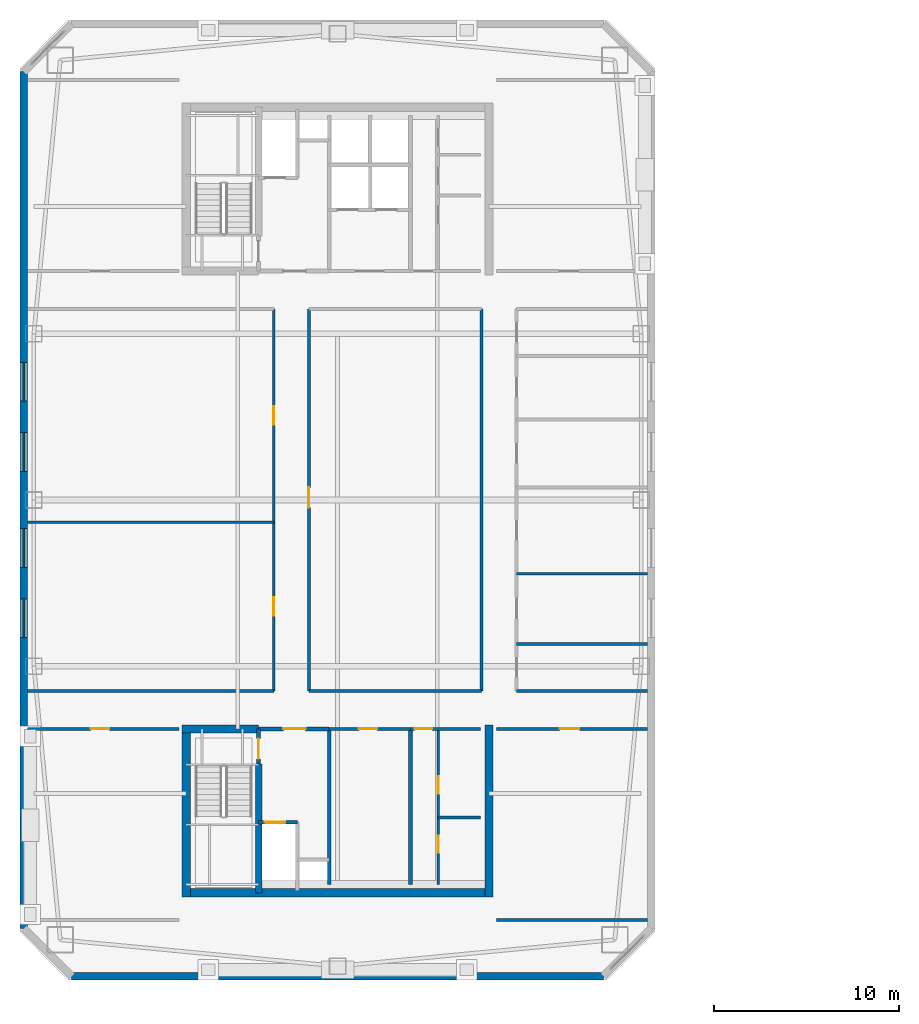
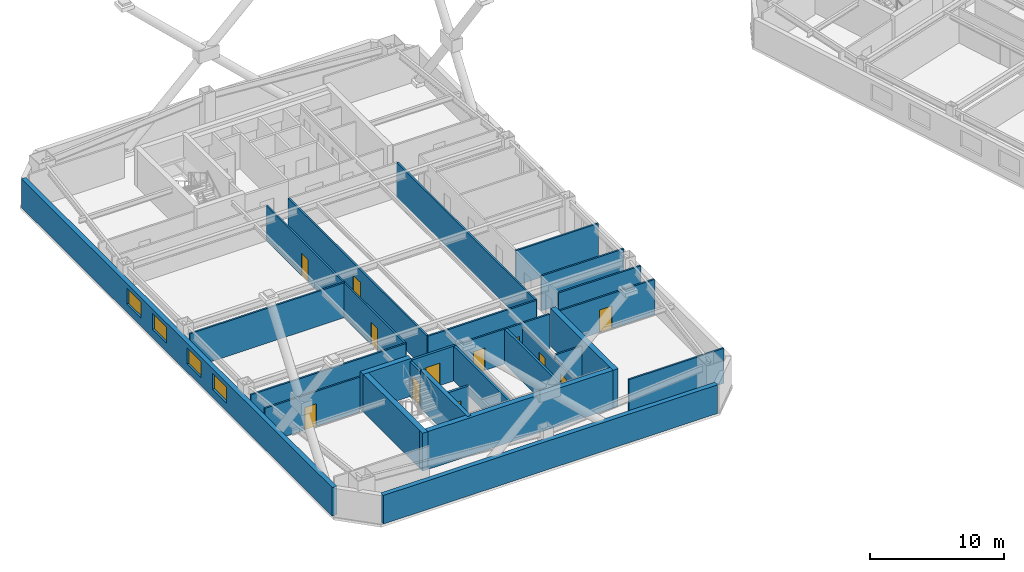
# One storey, part 17 of 25: 28 walls, 12 doors, 4 windows, 16 openings.
"""IFC4 building model written with IfcOpenShell, lengths in metres."""

from ifc_helpers import new_model, si_unit, direction, frame, frame_2d, origin, place, context, subcontext, project, spatial, rectangle, extrude, material, layer, layer_set, type_object, element, fill, save


model = new_model("IFC4")

# Units and contexts
model_context = context("Model", 3, precision=1e-05, world=origin(), true_north=direction((0.0, 1.0)))
body_context = subcontext(model_context, "Body", "Model", "MODEL_VIEW")
ifc_project = project(units=[si_unit("LENGTHUNIT", "METRE"), si_unit("AREAUNIT", "SQUARE_METRE"), si_unit("VOLUMEUNIT", "CUBIC_METRE"), si_unit("PLANEANGLEUNIT", "RADIAN"), si_unit("MASSUNIT", "GRAM", prefix="KILO")], contexts=[model_context])

# Site, building, storey
site_placement = place(None, origin())
site = spatial("IfcSite", under=ifc_project, at=site_placement, CompositionType="ELEMENT")
building_placement = place(site_placement, origin())
building = spatial("IfcBuilding", under=site, at=building_placement, Name="Qiaolan Cultural Towers", CompositionType="ELEMENT")
storey_placement = place(building_placement, frame((0.0, 0.0, 202.39990234375)))
storey = spatial("IfcBuildingStorey", under=building, at=storey_placement, Name="L54", CompositionType="ELEMENT", Elevation=202.39990234375)

# Walls
ifc_material_1 = material(Name="Concrete C50", Category="concrete")
ifc_layer_1 = layer(ifc_material_1, 0.35009765625)
ifc_layer_set_1 = layer_set([ifc_layer_1], Name="Concrete C50")
wall_type_1 = type_object("IfcWallType", Name="WL-CORE-350", PredefinedType="SHEAR", material=ifc_layer_set_1)
wall_1_placement = place(storey_placement, frame((25.719970703125, 19.699951171875, 0.0), z_axis=(0.0, 0.0, 1.0), x_axis=(0.0, -1.0, 0.0)))
element("IfcWall", 1, at=wall_1_placement, inside=storey, type_object=wall_type_1, Name="L54 T1-CS Stair Core Dividing Web", PredefinedType="SHEAR", context=body_context, shape_type="SweptSolid", body=[
    extrude(rectangle(XDim=6.97998046875, YDim=0.35009765625, at=frame_2d((3.489990234375, 0.0))), origin(), (0.0, 0.0, 1.0), 3.4501953125),
])
ifc_material_2 = material(Name="Concrete C50", Category="concrete")
ifc_layer_2 = layer(ifc_material_2, 0.449951171875)
ifc_layer_set_2 = layer_set([ifc_layer_2], Name="Concrete C50")
wall_type_2 = type_object("IfcWallType", Name="WL-CORE-450", PredefinedType="SHEAR", material=ifc_layer_set_2)
wall_2_placement = place(storey_placement, frame((21.574951171875, 12.719970703125, 0.0), z_axis=(0.0, 0.0, 1.0), x_axis=(1.0, 0.0, 0.0)))
element("IfcWall", 2, at=wall_2_placement, inside=storey, type_object=wall_type_2, Name="L54 T1-CS Outer Core Shear Wall", PredefinedType="SHEAR", context=body_context, shape_type="SweptSolid", body=[
    extrude(rectangle(XDim=16.85009765625, YDim=0.449951171875, at=frame_2d((8.425048828125, 0.0))), origin(), (0.0, 0.0, 1.0), 3.4501953125),
])
for number, where, z_axis, x_axis, name in (
    (3, (21.800048828125, 21.824951171875, 0.0), (0.0, 0.0, 1.0), (0.0, -1.0, 0.0), "L54 T1-CS West Core Shear Wall"),
    (4, (38.199951171875, 21.824951171875, 0.0), (0.0, 0.0, 1.0), (0.0, -1.0, 0.0), "L54 T1-CS East Core Shear Wall"),
):
    element("IfcWall", number, at=place(storey_placement, frame(where, z_axis=z_axis, x_axis=x_axis)), inside=storey, type_object=wall_type_2, Name=name, PredefinedType="SHEAR", context=body_context, shape_type="SweptSolid", body=[
        extrude(rectangle(XDim=9.329833984375, YDim=0.449951171875, at=frame_2d((4.6650390625, 0.0))), origin(), (0.0, 0.0, 1.0), 3.4501953125),
    ])
wall_3_placement = place(storey_placement, frame((21.574951171875, 21.60009765625, 0.0), z_axis=(0.0, 0.0, 1.0), x_axis=(1.0, 0.0, 0.0)))
element("IfcWall", 5, at=wall_3_placement, inside=storey, type_object=wall_type_2, Name="L54 T1-CS Stair Front Shear Wall", PredefinedType="SHEAR", context=body_context, shape_type="SweptSolid", body=[
    extrude(rectangle(XDim=4.14501953125, YDim=0.449951171875, at=frame_2d((2.072509765625, 0.0))), origin(), (0.0, 0.0, 1.0), 3.4501953125),
])

# Wall, openings, windows
ifc_material_3 = material(Name="Precast Concrete C50 Honed Stone Pier", Category="masonry")
ifc_layer_3 = layer(ifc_material_3, 0.39990234375)
ifc_layer_set_3 = layer_set([ifc_layer_3], Name="Precast Concrete C50 Honed Stone Pier")
wall_type_3 = type_object("IfcWallType", Name="WL-EXT-PIER-400", PredefinedType="SOLIDWALL", material=ifc_layer_set_3)
wall_4_placement = place(storey_placement, frame((13.0, 10.800048828125, 0.0), z_axis=(0.0, 0.0, 1.0), x_axis=(0.0, 1.0, 0.0)))
wall_4 = element("IfcWall", 6, at=wall_4_placement, inside=storey, type_object=wall_type_3, Name="L54 West Tower Precast Pier Facade Wall F1", PredefinedType="SOLIDWALL", context=body_context, shape_type="SweptSolid", body=[
    extrude(rectangle(XDim=46.39990234375, YDim=0.39990234375, at=frame_2d((23.199951171875, 0.0))), origin(), (0.0, 0.0, 1.0), 2.610107421875),
])
opening_1_placement = place(wall_4_placement, frame((15.75, 0.0, 0.75)))
opening_1 = element("IfcOpeningElement", 7, at=opening_1_placement, cuts=wall_4, Name="Opening W-05", PredefinedType="OPENING", context=body_context, shape_type="SweptSolid", body=[
    extrude(rectangle(XDim=2.10009765625, YDim=1.4599609375, at=frame_2d((1.050048828125, 0.72998046875))), frame((0.0, 0.2099609375, 0.0), z_axis=(0.0, -1.0, 0.0), x_axis=(1.0, 0.0, 0.0)), (0.0, 0.0, 1.0), 0.419921875),
])
opening_2_placement = place(wall_4_placement, frame((19.550048828125, 0.0, 0.75)))
opening_2 = element("IfcOpeningElement", 8, at=opening_2_placement, cuts=wall_4, Name="Opening W-05", PredefinedType="OPENING", context=body_context, shape_type="SweptSolid", body=[
    extrude(rectangle(XDim=2.10009765625, YDim=1.4599609375, at=frame_2d((1.050048828125, 0.72998046875))), frame((0.0, 0.2099609375, 0.0), z_axis=(0.0, -1.0, 0.0), x_axis=(1.0, 0.0, 0.0)), (0.0, 0.0, 1.0), 0.419921875),
])
opening_3_placement = place(wall_4_placement, frame((24.75, 0.0, 0.75)))
opening_3 = element("IfcOpeningElement", 9, at=opening_3_placement, cuts=wall_4, Name="Opening W-05", PredefinedType="OPENING", context=body_context, shape_type="SweptSolid", body=[
    extrude(rectangle(XDim=2.10009765625, YDim=1.4599609375, at=frame_2d((1.050048828125, 0.72998046875))), frame((0.0, 0.2099609375, 0.0), z_axis=(0.0, -1.0, 0.0), x_axis=(1.0, 0.0, 0.0)), (0.0, 0.0, 1.0), 0.419921875),
])
opening_4_placement = place(wall_4_placement, frame((28.550048828125, 0.0, 0.75)))
opening_4 = element("IfcOpeningElement", 10, at=opening_4_placement, cuts=wall_4, Name="Opening W-05", PredefinedType="OPENING", context=body_context, shape_type="SweptSolid", body=[
    extrude(rectangle(XDim=2.10009765625, YDim=1.4599609375, at=frame_2d((1.050048828125, 0.72998046875))), frame((0.0, 0.2099609375, 0.0), z_axis=(0.0, -1.0, 0.0), x_axis=(1.0, 0.0, 0.0)), (0.0, 0.0, 1.0), 0.419921875),
])
ifc_material_4 = material(Name="Thermally Broken Aluminium Triple Low-E Glazing", Category="aluminium")
window_type = type_object("IfcWindowType", Name="WN-CHIC-2100", PartitioningType="SINGLE_PANEL", PredefinedType="WINDOW", material=ifc_material_4)
window_1_placement = place(opening_1_placement, origin())
window_1 = element("IfcWindow", 11, at=window_1_placement, inside=storey, type_object=window_type, Name="L54 T1 W Chicago Bay Window 1", OverallHeight=1.4599609375, OverallWidth=2.10009765625, PartitioningType="TRIPLE_PANEL_VERTICAL", PredefinedType="WINDOW", context=body_context, shape_type="SweptSolid", body=[
    extrude(rectangle(XDim=2.10009765625, YDim=1.4599609375, at=frame_2d((1.050048828125, 0.72998046875))), frame((0.0, 0.030029296875, 0.0), z_axis=(0.0, -1.0, 0.0), x_axis=(1.0, 0.0, 0.0)), (0.0, 0.0, 1.0), 0.06005859375),
])
fill(opening_1, window_1)
window_2_placement = place(opening_2_placement, origin())
window_2 = element("IfcWindow", 12, at=window_2_placement, inside=storey, type_object=window_type, Name="L54 T1 W Chicago Bay Window 2", OverallHeight=1.4599609375, OverallWidth=2.10009765625, PartitioningType="TRIPLE_PANEL_VERTICAL", PredefinedType="WINDOW", context=body_context, shape_type="SweptSolid", body=[
    extrude(rectangle(XDim=2.10009765625, YDim=1.4599609375, at=frame_2d((1.050048828125, 0.72998046875))), frame((0.0, 0.030029296875, 0.0), z_axis=(0.0, -1.0, 0.0), x_axis=(1.0, 0.0, 0.0)), (0.0, 0.0, 1.0), 0.06005859375),
])
fill(opening_2, window_2)
window_3_placement = place(opening_3_placement, origin())
window_3 = element("IfcWindow", 13, at=window_3_placement, inside=storey, type_object=window_type, Name="L54 T1 W Chicago Bay Window 3", OverallHeight=1.4599609375, OverallWidth=2.10009765625, PartitioningType="TRIPLE_PANEL_VERTICAL", PredefinedType="WINDOW", context=body_context, shape_type="SweptSolid", body=[
    extrude(rectangle(XDim=2.10009765625, YDim=1.4599609375, at=frame_2d((1.050048828125, 0.72998046875))), frame((0.0, 0.030029296875, 0.0), z_axis=(0.0, -1.0, 0.0), x_axis=(1.0, 0.0, 0.0)), (0.0, 0.0, 1.0), 0.06005859375),
])
fill(opening_3, window_3)
window_4_placement = place(opening_4_placement, origin())
window_4 = element("IfcWindow", 14, at=window_4_placement, inside=storey, type_object=window_type, Name="L54 T1 W Chicago Bay Window 4", OverallHeight=1.4599609375, OverallWidth=2.10009765625, PartitioningType="TRIPLE_PANEL_VERTICAL", PredefinedType="WINDOW", context=body_context, shape_type="SweptSolid", body=[
    extrude(rectangle(XDim=2.10009765625, YDim=1.4599609375, at=frame_2d((1.050048828125, 0.72998046875))), frame((0.0, 0.030029296875, 0.0), z_axis=(0.0, -1.0, 0.0), x_axis=(1.0, 0.0, 0.0)), (0.0, 0.0, 1.0), 0.06005859375),
])
fill(opening_4, window_4)

# Wall
wall_5_placement = place(storey_placement, frame((44.39990234375, 8.199951171875, 0.0), z_axis=(0.0, 0.0, 1.0), x_axis=(-1.0, 0.0, 0.0)))
element("IfcWall", 15, at=wall_5_placement, inside=storey, type_object=wall_type_3, Name="L54 West Tower Precast Pier Facade Wall F7", PredefinedType="SOLIDWALL", context=body_context, shape_type="SweptSolid", body=[
    extrude(rectangle(XDim=28.7998046875, YDim=0.39990234375, at=frame_2d((14.39990234375, 0.0))), origin(), (0.0, 0.0, 1.0), 2.610107421875),
])

# Wall, opening, door
ifc_material_5 = material(Name="Concrete C35 Fire Wall", Category="concrete")
ifc_layer_4 = layer(ifc_material_5, 0.199951171875)
ifc_layer_set_4 = layer_set([ifc_layer_4], Name="Concrete C35 Fire Wall")
wall_type_4 = type_object("IfcWallType", Name="WL-FIRE-200", PredefinedType="PARTITIONING", material=ifc_layer_set_4)
wall_6_placement = place(storey_placement, frame((25.719970703125, 21.60009765625, 0.0), z_axis=(0.0, 0.0, 1.0), x_axis=(0.0, -1.0, 0.0)))
wall_6 = element("IfcWall", 16, at=wall_6_placement, inside=storey, type_object=wall_type_4, Name="L54 T1-CS Smokeproof Stair Entry Wall", PredefinedType="PARTITIONING", context=body_context, shape_type="SweptSolid", body=[
    extrude(rectangle(XDim=1.900146484375, YDim=0.199951171875, at=frame_2d((0.9501953125, 0.0))), origin(), (0.0, 0.0, 1.0), 3.175048828125),
])
opening_5_placement = place(wall_6_placement, frame((0.52001953125, 0.0, 0.0)))
opening_5 = element("IfcOpeningElement", 17, at=opening_5_placement, cuts=wall_6, Name="Opening FD-04", PredefinedType="OPENING", context=body_context, shape_type="SweptSolid", body=[
    extrude(rectangle(XDim=1.10009765625, YDim=2.050048828125, at=frame_2d((0.550048828125, 1.02490234375))), frame((0.0, 0.10986328125, 0.0), z_axis=(0.0, -1.0, 0.0), x_axis=(1.0, 0.0, 0.0)), (0.0, 0.0, 1.0), 0.219970703125),
])
ifc_material_6 = material(Name="Galvanized Steel Command Fire Door", Category="steel")
door_type_1 = type_object("IfcDoorType", Name="DR-FD90-1100", OperationType="NOTDEFINED", PredefinedType="DOOR", material=ifc_material_6)
door_1_placement = place(opening_5_placement, origin())
door_1 = element("IfcDoor", 18, at=door_1_placement, inside=storey, type_object=door_type_1, Name="L54 ST-W1 Smokeproof Stair Fire Door", OperationType="SINGLE_SWING_LEFT", OverallHeight=2.050048828125, OverallWidth=1.10009765625, PredefinedType="DOOR", context=body_context, shape_type="SweptSolid", body=[
    extrude(rectangle(XDim=1.10009765625, YDim=2.050048828125, at=frame_2d((0.550048828125, 1.02490234375))), frame((0.0, 0.02490234375, 0.0), z_axis=(0.0, -1.0, 0.0), x_axis=(1.0, 0.0, 0.0)), (0.0, 0.0, 1.0), 0.050048828125),
])
fill(opening_5, door_1)

# Wall
wall_7_placement = place(storey_placement, frame((29.550048828125, 21.60009765625, 0.0), z_axis=(0.0, 0.0, 1.0), x_axis=(0.0, -1.0, 0.0)))
element("IfcWall", 19, at=wall_7_placement, inside=storey, type_object=wall_type_4, Name="L54 T1-CS Firefighting Zone Wall", PredefinedType="PARTITIONING", context=body_context, shape_type="SweptSolid", body=[
    extrude(rectangle(XDim=8.43017578125, YDim=0.199951171875, at=frame_2d((4.215087890625, 0.0))), origin(), (0.0, 0.0, 1.0), 3.175048828125),
])

# Wall, opening, door
wall_8_placement = place(storey_placement, frame((25.719970703125, 21.60009765625, 0.0), z_axis=(0.0, 0.0, 1.0), x_axis=(1.0, 0.0, 0.0)))
wall_8 = element("IfcWall", 20, at=wall_8_placement, inside=storey, type_object=wall_type_4, Name="L54 T1-CS Firefighting Lobby Front Wall", PredefinedType="PARTITIONING", context=body_context, shape_type="SweptSolid", body=[
    extrude(rectangle(XDim=3.830078125, YDim=0.199951171875, at=frame_2d((1.9150390625, 0.0))), origin(), (0.0, 0.0, 1.0), 3.175048828125),
])
opening_6_placement = place(wall_8_placement, frame((1.35009765625, 0.0, 0.0)))
opening_6 = element("IfcOpeningElement", 21, at=opening_6_placement, cuts=wall_8, Name="Opening FD-03", PredefinedType="OPENING", context=body_context, shape_type="SweptSolid", body=[
    extrude(rectangle(XDim=1.199951171875, YDim=2.050048828125, at=frame_2d((0.60009765625, 1.02490234375))), frame((0.0, 0.10986328125, 0.0), z_axis=(0.0, -1.0, 0.0), x_axis=(1.0, 0.0, 0.0)), (0.0, 0.0, 1.0), 0.219970703125),
])
ifc_material_7 = material(Name="Galvanized Steel Smokeproof Lobby Fire Door", Category="steel")
door_type_2 = type_object("IfcDoorType", Name="DR-FD90-1200", OperationType="NOTDEFINED", PredefinedType="DOOR", material=ifc_material_7)
door_2_placement = place(opening_6_placement, origin())
door_2 = element("IfcDoor", 22, at=door_2_placement, inside=storey, type_object=door_type_2, Name="L54 FFL-W1 Firefighting Lobby Fire Door", OperationType="SINGLE_SWING_LEFT", OverallHeight=2.050048828125, OverallWidth=1.199951171875, PredefinedType="DOOR", context=body_context, shape_type="SweptSolid", body=[
    extrude(rectangle(XDim=1.199951171875, YDim=2.050048828125, at=frame_2d((0.60009765625, 1.02490234375))), frame((0.0, 0.02490234375, 0.0), z_axis=(0.0, -1.0, 0.0), x_axis=(1.0, 0.0, 0.0)), (0.0, 0.0, 1.0), 0.050048828125),
])
fill(opening_6, door_2)

wall_9_placement = place(storey_placement, frame((25.719970703125, 16.550048828125, 0.0), z_axis=(0.0, 0.0, 1.0), x_axis=(1.0, 0.0, 0.0)))
wall_9 = element("IfcWall", 23, at=wall_9_placement, inside=storey, type_object=wall_type_4, Name="L54 T1-CS Firefighting Shaft Front Wall", PredefinedType="PARTITIONING", context=body_context, shape_type="SweptSolid", body=[
    extrude(rectangle(XDim=2.10009765625, YDim=0.199951171875, at=frame_2d((1.050048828125, 0.0))), origin(), (0.0, 0.0, 1.0), 3.175048828125),
])
opening_7_placement = place(wall_9_placement, frame((0.35009765625, 0.0, 0.0)))
opening_7 = element("IfcOpeningElement", 24, at=opening_7_placement, cuts=wall_9, Name="Opening LD-01", PredefinedType="OPENING", context=body_context, shape_type="SweptSolid", body=[
    extrude(rectangle(XDim=1.10009765625, YDim=2.050048828125, at=frame_2d((0.550048828125, 1.02490234375))), frame((0.0, 0.10986328125, 0.0), z_axis=(0.0, -1.0, 0.0), x_axis=(1.0, 0.0, 0.0)), (0.0, 0.0, 1.0), 0.219970703125),
])
ifc_material_8 = material(Name="Brushed Stainless Steel S30408 Centre-Parting Lift Landing Door", Category="steel")
door_type_3 = type_object("IfcDoorType", Name="DR-LIFT-1100", OperationType="NOTDEFINED", PredefinedType="DOOR", material=ifc_material_8)
door_3_placement = place(opening_7_placement, origin())
door_3 = element("IfcDoor", 25, at=door_3_placement, inside=storey, type_object=door_type_3, Name="L54 FFL-W1 Firefighting Lift Landing Door", OperationType="DOUBLE_DOOR_SLIDING", OverallHeight=2.050048828125, OverallWidth=1.10009765625, PredefinedType="DOOR", context=body_context, shape_type="SweptSolid", body=[
    extrude(rectangle(XDim=1.10009765625, YDim=2.050048828125, at=frame_2d((0.550048828125, 1.02490234375))), frame((0.0, 0.02490234375, 0.0), z_axis=(0.0, -1.0, 0.0), x_axis=(1.0, 0.0, 0.0)), (0.0, 0.0, 1.0), 0.050048828125),
])
fill(opening_7, door_3)

# Wall
wall_10_placement = place(storey_placement, frame((33.949951171875, 21.60009765625, 0.0), z_axis=(0.0, 0.0, 1.0), x_axis=(0.0, -1.0, 0.0)))
element("IfcWall", 26, at=wall_10_placement, inside=storey, type_object=wall_type_4, Name="L54 T1-CS Lift Core East Wall", PredefinedType="PARTITIONING", context=body_context, shape_type="SweptSolid", body=[
    extrude(rectangle(XDim=8.43017578125, YDim=0.199951171875, at=frame_2d((4.215087890625, 0.0))), origin(), (0.0, 0.0, 1.0), 3.175048828125),
])

# Wall, opening, door
ifc_material_9 = material(Name="Autoclaved Aerated Concrete Block B06", Category="concrete")
ifc_layer_5 = layer(ifc_material_9, 0.14990234375)
ifc_layer_set_5 = layer_set([ifc_layer_5], Name="Autoclaved Aerated Concrete Block B06")
wall_type_5 = type_object("IfcWallType", Name="WL-PART-150", PredefinedType="PARTITIONING", material=ifc_layer_set_5)
wall_11_placement = place(storey_placement, frame((29.550048828125, 21.60009765625, 0.0), z_axis=(0.0, 0.0, 1.0), x_axis=(1.0, 0.0, 0.0)))
wall_11 = element("IfcWall", 27, at=wall_11_placement, inside=storey, type_object=wall_type_5, Name="L54 T1-CS Reclaimed Core Room Front Wall", PredefinedType="PARTITIONING", context=body_context, shape_type="SweptSolid", body=[
    extrude(rectangle(XDim=4.39990234375, YDim=0.14990234375, at=frame_2d((2.199951171875, 0.0))), origin(), (0.0, 0.0, 1.0), 3.175048828125),
])
opening_8_placement = place(wall_11_placement, frame((1.60009765625, 0.0, 0.0)))
opening_8 = element("IfcOpeningElement", 28, at=opening_8_placement, cuts=wall_11, Name="Opening ID-04", PredefinedType="OPENING", context=body_context, shape_type="SweptSolid", body=[
    extrude(rectangle(XDim=1.0, YDim=2.050048828125, at=frame_2d((0.5, 1.02490234375))), frame((0.0, 0.0849609375, 0.0), z_axis=(0.0, -1.0, 0.0), x_axis=(1.0, 0.0, 0.0)), (0.0, 0.0, 1.0), 0.169921875),
])
ifc_material_10 = material(Name="Oak Veneer Acoustic Office Door", Category="timber")
door_type_4 = type_object("IfcDoorType", Name="DR-INT-1000", OperationType="NOTDEFINED", PredefinedType="DOOR", material=ifc_material_10)
door_4_placement = place(opening_8_placement, origin())
door_4 = element("IfcDoor", 29, at=door_4_placement, inside=storey, type_object=door_type_4, Name="L54 Reclaimed Archive Room Door", OperationType="SINGLE_SWING_LEFT", OverallHeight=2.050048828125, OverallWidth=1.0, PredefinedType="DOOR", context=body_context, shape_type="SweptSolid", body=[
    extrude(rectangle(XDim=1.0, YDim=2.050048828125, at=frame_2d((0.5, 1.02490234375))), frame((0.0, 0.02490234375, 0.0), z_axis=(0.0, -1.0, 0.0), x_axis=(1.0, 0.0, 0.0)), (0.0, 0.0, 1.0), 0.050048828125),
])
fill(opening_8, door_4)

wall_12_placement = place(storey_placement, frame((33.949951171875, 21.60009765625, 0.0), z_axis=(0.0, 0.0, 1.0), x_axis=(1.0, 0.0, 0.0)))
wall_12 = element("IfcWall", 30, at=wall_12_placement, inside=storey, type_object=wall_type_5, Name="L54 T1-CS Sanitary Core Front Wall", PredefinedType="PARTITIONING", context=body_context, shape_type="SweptSolid", body=[
    extrude(rectangle(XDim=3.800048828125, YDim=0.14990234375, at=frame_2d((1.89990234375, 0.0))), origin(), (0.0, 0.0, 1.0), 3.175048828125),
])
opening_9_placement = place(wall_12_placement, frame((0.219970703125, 0.0, 0.0)))
opening_9 = element("IfcOpeningElement", 31, at=opening_9_placement, cuts=wall_12, Name="Opening ID-05", PredefinedType="OPENING", context=body_context, shape_type="SweptSolid", body=[
    extrude(rectangle(XDim=0.949951171875, YDim=2.050048828125, at=frame_2d((0.47509765625, 1.02490234375))), frame((0.0, 0.0849609375, 0.0), z_axis=(0.0, -1.0, 0.0), x_axis=(1.0, 0.0, 0.0)), (0.0, 0.0, 1.0), 0.169921875),
])
ifc_material_11 = material(Name="Fire-Rated Laminate Accessible Core Door", Category="timber")
door_type_5 = type_object("IfcDoorType", Name="DR-INT-950", OperationType="NOTDEFINED", PredefinedType="DOOR", material=ifc_material_11)
door_5_placement = place(opening_9_placement, origin())
door_5 = element("IfcDoor", 32, at=door_5_placement, inside=storey, type_object=door_type_5, Name="L54 Sanitary Lobby Door", OperationType="SINGLE_SWING_LEFT", OverallHeight=2.050048828125, OverallWidth=0.949951171875, PredefinedType="DOOR", context=body_context, shape_type="SweptSolid", body=[
    extrude(rectangle(XDim=0.949951171875, YDim=2.050048828125, at=frame_2d((0.47509765625, 1.02490234375))), frame((0.0, 0.02490234375, 0.0), z_axis=(0.0, -1.0, 0.0), x_axis=(1.0, 0.0, 0.0)), (0.0, 0.0, 1.0), 0.050048828125),
])
fill(opening_9, door_5)

# Wall, openings, doors
wall_13_placement = place(storey_placement, frame((35.449951171875, 21.60009765625, 0.0), z_axis=(0.0, 0.0, 1.0), x_axis=(0.0, -1.0, 0.0)))
wall_13 = element("IfcWall", 33, at=wall_13_placement, inside=storey, type_object=wall_type_5, Name="L54 T1-CS Washroom Split Wall", PredefinedType="PARTITIONING", context=body_context, shape_type="SweptSolid", body=[
    extrude(rectangle(XDim=8.43017578125, YDim=0.14990234375, at=frame_2d((4.215087890625, 0.0))), origin(), (0.0, 0.0, 1.0), 2.76513671875),
])
opening_10_placement = place(wall_13_placement, frame((2.550048828125, 0.0, 0.0)))
opening_10 = element("IfcOpeningElement", 34, at=opening_10_placement, cuts=wall_13, Name="Opening ID-05", PredefinedType="OPENING", context=body_context, shape_type="SweptSolid", body=[
    extrude(rectangle(XDim=0.949951171875, YDim=2.050048828125, at=frame_2d((0.47509765625, 1.02490234375))), frame((0.0, 0.0849609375, 0.0), z_axis=(0.0, -1.0, 0.0), x_axis=(1.0, 0.0, 0.0)), (0.0, 0.0, 1.0), 0.169921875),
])
opening_11_placement = place(wall_13_placement, frame((5.800048828125, 0.0, 0.0)))
opening_11 = element("IfcOpeningElement", 35, at=opening_11_placement, cuts=wall_13, Name="Opening ID-06", PredefinedType="OPENING", context=body_context, shape_type="SweptSolid", body=[
    extrude(rectangle(XDim=0.89990234375, YDim=2.050048828125, at=frame_2d((0.449951171875, 1.02490234375))), frame((0.0, 0.0849609375, 0.0), z_axis=(0.0, -1.0, 0.0), x_axis=(1.0, 0.0, 0.0)), (0.0, 0.0, 1.0), 0.169921875),
])
ifc_material_12 = material(Name="Fire-Rated Laminate Core Service Door", Category="timber")
door_type_6 = type_object("IfcDoorType", Name="DR-INT-900", OperationType="NOTDEFINED", PredefinedType="DOOR", material=ifc_material_12)
door_6_placement = place(opening_11_placement, origin())
door_6 = element("IfcDoor", 36, at=door_6_placement, inside=storey, type_object=door_type_6, Name="L54 First-Aid Room Door", OperationType="SINGLE_SWING_RIGHT", OverallHeight=2.050048828125, OverallWidth=0.89990234375, PredefinedType="DOOR", context=body_context, shape_type="SweptSolid", body=[
    extrude(rectangle(XDim=0.89990234375, YDim=2.050048828125, at=frame_2d((0.449951171875, 1.02490234375))), frame((0.0, 0.02490234375, 0.0), z_axis=(0.0, -1.0, 0.0), x_axis=(1.0, 0.0, 0.0)), (0.0, 0.0, 1.0), 0.050048828125),
])
fill(opening_11, door_6)
door_7_placement = place(opening_10_placement, origin())
door_7 = element("IfcDoor", 37, at=door_7_placement, inside=storey, type_object=door_type_5, Name="L54 Accessible Washroom Door", OperationType="SINGLE_SWING_LEFT", OverallHeight=2.050048828125, OverallWidth=0.949951171875, PredefinedType="DOOR", context=body_context, shape_type="SweptSolid", body=[
    extrude(rectangle(XDim=0.949951171875, YDim=2.050048828125, at=frame_2d((0.47509765625, 1.02490234375))), frame((0.0, 0.02490234375, 0.0), z_axis=(0.0, -1.0, 0.0), x_axis=(1.0, 0.0, 0.0)), (0.0, 0.0, 1.0), 0.050048828125),
])
fill(opening_10, door_7)

# Wall
wall_14_placement = place(storey_placement, frame((35.449951171875, 16.800048828125, 0.0), z_axis=(0.0, 0.0, 1.0), x_axis=(1.0, 0.0, 0.0)))
element("IfcWall", 38, at=wall_14_placement, inside=storey, type_object=wall_type_5, Name="L54 T1-CS First-Aid Wall", PredefinedType="PARTITIONING", context=body_context, shape_type="SweptSolid", body=[
    extrude(rectangle(XDim=2.300048828125, YDim=0.14990234375, at=frame_2d((1.14990234375, 0.0))), origin(), (0.0, 0.0, 1.0), 3.175048828125),
])

# Wall, opening, door
wall_15_placement = place(storey_placement, frame((13.199951171875, 21.60009765625, 0.0), z_axis=(0.0, 0.0, 1.0), x_axis=(1.0, 0.0, 0.0)))
wall_15 = element("IfcWall", 39, at=wall_15_placement, inside=storey, type_object=wall_type_5, Name="L54 T1 Flank Front FLK-SW", PredefinedType="PARTITIONING", context=body_context, shape_type="SweptSolid", body=[
    extrude(rectangle(XDim=8.199951171875, YDim=0.14990234375, at=frame_2d((4.10009765625, 0.0))), origin(), (0.0, 0.0, 1.0), 3.175048828125),
])
opening_12_placement = place(wall_15_placement, frame((3.444091796875, 0.0, 0.0)))
opening_12 = element("IfcOpeningElement", 40, at=opening_12_placement, cuts=wall_15, Name="Opening ID-04", PredefinedType="OPENING", context=body_context, shape_type="SweptSolid", body=[
    extrude(rectangle(XDim=1.0, YDim=2.050048828125, at=frame_2d((0.5, 1.02490234375))), frame((0.0, 0.0849609375, 0.0), z_axis=(0.0, -1.0, 0.0), x_axis=(1.0, 0.0, 0.0)), (0.0, 0.0, 1.0), 0.169921875),
])
door_8_placement = place(opening_12_placement, origin())
door_8 = element("IfcDoor", 41, at=door_8_placement, inside=storey, type_object=door_type_4, Name="L54 T1 Corner Studio Door", OperationType="SINGLE_SWING_LEFT", OverallHeight=2.050048828125, OverallWidth=1.0, PredefinedType="DOOR", context=body_context, shape_type="SweptSolid", body=[
    extrude(rectangle(XDim=1.0, YDim=2.050048828125, at=frame_2d((0.5, 1.02490234375))), frame((0.0, 0.02490234375, 0.0), z_axis=(0.0, -1.0, 0.0), x_axis=(1.0, 0.0, 0.0)), (0.0, 0.0, 1.0), 0.050048828125),
])
fill(opening_12, door_8)

# Wall
wall_16_placement = place(storey_placement, frame((38.60009765625, 11.25, 0.0), z_axis=(0.0, 0.0, 1.0), x_axis=(1.0, 0.0, 0.0)))
element("IfcWall", 42, at=wall_16_placement, inside=storey, type_object=wall_type_5, Name="L54 T1 Flank Wall FLK-SE", PredefinedType="PARTITIONING", context=body_context, shape_type="SweptSolid", body=[
    extrude(rectangle(XDim=8.199951171875, YDim=0.14990234375, at=frame_2d((4.10009765625, 0.0))), origin(), (0.0, 0.0, 1.0), 3.175048828125),
])

# Wall, opening, door
wall_17_placement = place(storey_placement, frame((38.60009765625, 21.60009765625, 0.0), z_axis=(0.0, 0.0, 1.0), x_axis=(1.0, 0.0, 0.0)))
wall_17 = element("IfcWall", 43, at=wall_17_placement, inside=storey, type_object=wall_type_5, Name="L54 T1 Flank Front FLK-SE", PredefinedType="PARTITIONING", context=body_context, shape_type="SweptSolid", body=[
    extrude(rectangle(XDim=8.199951171875, YDim=0.14990234375, at=frame_2d((4.10009765625, 0.0))), origin(), (0.0, 0.0, 1.0), 3.175048828125),
])
opening_13_placement = place(wall_17_placement, frame((3.444091796875, 0.0, 0.0)))
opening_13 = element("IfcOpeningElement", 44, at=opening_13_placement, cuts=wall_17, Name="Opening ID-07", PredefinedType="OPENING", context=body_context, shape_type="SweptSolid", body=[
    extrude(rectangle(XDim=1.050048828125, YDim=2.050048828125, at=frame_2d((0.52490234375, 1.02490234375))), frame((0.0, 0.0849609375, 0.0), z_axis=(0.0, -1.0, 0.0), x_axis=(1.0, 0.0, 0.0)), (0.0, 0.0, 1.0), 0.169921875),
])
ifc_material_13 = material(Name="Oak Veneer Consultation Door", Category="timber")
door_type_7 = type_object("IfcDoorType", Name="DR-INT-1050", OperationType="NOTDEFINED", PredefinedType="DOOR", material=ifc_material_13)
door_9_placement = place(opening_13_placement, origin())
door_9 = element("IfcDoor", 45, at=door_9_placement, inside=storey, type_object=door_type_7, Name="L54 T1 Corner Studio Door", OperationType="SINGLE_SWING_LEFT", OverallHeight=2.050048828125, OverallWidth=1.050048828125, PredefinedType="DOOR", context=body_context, shape_type="SweptSolid", body=[
    extrude(rectangle(XDim=1.050048828125, YDim=2.050048828125, at=frame_2d((0.52490234375, 1.02490234375))), frame((0.0, 0.02490234375, 0.0), z_axis=(0.0, -1.0, 0.0), x_axis=(1.0, 0.0, 0.0)), (0.0, 0.0, 1.0), 0.050048828125),
])
fill(opening_13, door_9)

# Walls
wall_18_placement = place(storey_placement, frame((13.199951171875, 23.64990234375, 0.0), z_axis=(0.0, 0.0, 1.0), x_axis=(1.0, 0.0, 0.0)))
element("IfcWall", 46, at=wall_18_placement, inside=storey, type_object=wall_type_5, Name="L54 T1 Interior Wall", PredefinedType="PARTITIONING", context=body_context, shape_type="SweptSolid", body=[
    extrude(rectangle(XDim=13.35009765625, YDim=0.14990234375, at=frame_2d((6.675048828125, 0.0))), origin(), (0.0, 0.0, 1.0), 3.175048828125),
])
wall_19_placement = place(storey_placement, frame((28.449951171875, 23.64990234375, 0.0), z_axis=(0.0, 0.0, 1.0), x_axis=(1.0, 0.0, 0.0)))
element("IfcWall", 47, at=wall_19_placement, inside=storey, type_object=wall_type_5, Name="L54 T1 Interior Wall", PredefinedType="PARTITIONING", context=body_context, shape_type="SweptSolid", body=[
    extrude(rectangle(XDim=9.35009765625, YDim=0.14990234375, at=frame_2d((4.675048828125, 0.0))), origin(), (0.0, 0.0, 1.0), 3.175048828125),
])
wall_20_placement = place(storey_placement, frame((39.699951171875, 23.64990234375, 0.0), z_axis=(0.0, 0.0, 1.0), x_axis=(1.0, 0.0, 0.0)))
element("IfcWall", 48, at=wall_20_placement, inside=storey, type_object=wall_type_5, Name="L54 T1 Interior Wall", PredefinedType="PARTITIONING", context=body_context, shape_type="SweptSolid", body=[
    extrude(rectangle(XDim=7.10009765625, YDim=0.14990234375, at=frame_2d((3.550048828125, 0.0))), origin(), (0.0, 0.0, 1.0), 3.175048828125),
])

# Wall, openings, doors
wall_21_placement = place(storey_placement, frame((26.550048828125, 23.64990234375, 0.0), z_axis=(0.0, 0.0, 1.0), x_axis=(0.0, 1.0, 0.0)))
wall_21 = element("IfcWall", 49, at=wall_21_placement, inside=storey, type_object=wall_type_5, Name="L54 T1 Interior Wall", PredefinedType="PARTITIONING", context=body_context, shape_type="SweptSolid", body=[
    extrude(rectangle(XDim=20.7001953125, YDim=0.14990234375, at=frame_2d((10.35009765625, 0.0))), origin(), (0.0, 0.0, 1.0), 3.175048828125),
])
opening_14_placement = place(wall_21_placement, frame((4.074951171875, 0.0, 0.0)))
opening_14 = element("IfcOpeningElement", 50, at=opening_14_placement, cuts=wall_21, Name="Opening ID-04", PredefinedType="OPENING", context=body_context, shape_type="SweptSolid", body=[
    extrude(rectangle(XDim=1.0, YDim=2.050048828125, at=frame_2d((0.5, 1.02490234375))), frame((0.0, 0.0849609375, 0.0), z_axis=(0.0, -1.0, 0.0), x_axis=(1.0, 0.0, 0.0)), (0.0, 0.0, 1.0), 0.169921875),
])
opening_15_placement = place(wall_21_placement, frame((14.425048828125, 0.0, 0.0)))
opening_15 = element("IfcOpeningElement", 51, at=opening_15_placement, cuts=wall_21, Name="Opening ID-04", PredefinedType="OPENING", context=body_context, shape_type="SweptSolid", body=[
    extrude(rectangle(XDim=1.0, YDim=2.050048828125, at=frame_2d((0.5, 1.02490234375))), frame((0.0, 0.0849609375, 0.0), z_axis=(0.0, -1.0, 0.0), x_axis=(1.0, 0.0, 0.0)), (0.0, 0.0, 1.0), 0.169921875),
])
door_10_placement = place(opening_14_placement, origin())
door_10 = element("IfcDoor", 52, at=door_10_placement, inside=storey, type_object=door_type_4, Name="L54 T1 Grand Cultural Forum Hall Door", OperationType="SINGLE_SWING_LEFT", OverallHeight=2.050048828125, OverallWidth=1.0, PredefinedType="DOOR", context=body_context, shape_type="SweptSolid", body=[
    extrude(rectangle(XDim=1.0, YDim=2.050048828125, at=frame_2d((0.5, 1.02490234375))), frame((0.0, 0.02490234375, 0.0), z_axis=(0.0, -1.0, 0.0), x_axis=(1.0, 0.0, 0.0)), (0.0, 0.0, 1.0), 0.050048828125),
])
fill(opening_14, door_10)
door_11_placement = place(opening_15_placement, origin())
door_11 = element("IfcDoor", 53, at=door_11_placement, inside=storey, type_object=door_type_4, Name="L54 T1 Forum Green Lounge Door", OperationType="SINGLE_SWING_RIGHT", OverallHeight=2.050048828125, OverallWidth=1.0, PredefinedType="DOOR", context=body_context, shape_type="SweptSolid", body=[
    extrude(rectangle(XDim=1.0, YDim=2.050048828125, at=frame_2d((0.5, 1.02490234375))), frame((0.0, 0.02490234375, 0.0), z_axis=(0.0, -1.0, 0.0), x_axis=(1.0, 0.0, 0.0)), (0.0, 0.0, 1.0), 0.050048828125),
])
fill(opening_15, door_11)

# Wall, opening, door
wall_22_placement = place(storey_placement, frame((28.449951171875, 23.64990234375, 0.0), z_axis=(0.0, 0.0, 1.0), x_axis=(0.0, 1.0, 0.0)))
wall_22 = element("IfcWall", 54, at=wall_22_placement, inside=storey, type_object=wall_type_5, Name="L54 T1 Interior Wall", PredefinedType="PARTITIONING", context=body_context, shape_type="SweptSolid", body=[
    extrude(rectangle(XDim=20.7001953125, YDim=0.14990234375, at=frame_2d((10.35009765625, 0.0))), origin(), (0.0, 0.0, 1.0), 3.175048828125),
])
opening_16_placement = place(wall_22_placement, frame((9.93603515625, 0.0, 0.0)))
opening_16 = element("IfcOpeningElement", 55, at=opening_16_placement, cuts=wall_22, Name="Opening ID-03", PredefinedType="OPENING", context=body_context, shape_type="SweptSolid", body=[
    extrude(rectangle(XDim=1.10009765625, YDim=2.050048828125, at=frame_2d((0.550048828125, 1.02490234375))), frame((0.0, 0.0849609375, 0.0), z_axis=(0.0, -1.0, 0.0), x_axis=(1.0, 0.0, 0.0)), (0.0, 0.0, 1.0), 0.169921875),
])
ifc_material_14 = material(Name="Oak Veneer Solid-Core Boardroom Door", Category="timber")
door_type_8 = type_object("IfcDoorType", Name="DR-INT-1100", OperationType="NOTDEFINED", PredefinedType="DOOR", material=ifc_material_14)
door_12_placement = place(opening_16_placement, origin())
door_12 = element("IfcDoor", 56, at=door_12_placement, inside=storey, type_object=door_type_8, Name="L54 T1 Central Colloquium Hall Door", OperationType="SINGLE_SWING_LEFT", OverallHeight=2.050048828125, OverallWidth=1.10009765625, PredefinedType="DOOR", context=body_context, shape_type="SweptSolid", body=[
    extrude(rectangle(XDim=1.10009765625, YDim=2.050048828125, at=frame_2d((0.550048828125, 1.02490234375))), frame((0.0, 0.02490234375, 0.0), z_axis=(0.0, -1.0, 0.0), x_axis=(1.0, 0.0, 0.0)), (0.0, 0.0, 1.0), 0.050048828125),
])
fill(opening_16, door_12)

# Walls
wall_23_placement = place(storey_placement, frame((37.800048828125, 23.64990234375, 0.0), z_axis=(0.0, 0.0, 1.0), x_axis=(0.0, 1.0, 0.0)))
element("IfcWall", 57, at=wall_23_placement, inside=storey, type_object=wall_type_5, Name="L54 T1 Interior Wall", PredefinedType="PARTITIONING", context=body_context, shape_type="SweptSolid", body=[
    extrude(rectangle(XDim=20.7001953125, YDim=0.14990234375, at=frame_2d((10.35009765625, 0.0))), origin(), (0.0, 0.0, 1.0), 3.175048828125),
])
wall_24_placement = place(storey_placement, frame((13.199951171875, 32.800048828125, 0.0), z_axis=(0.0, 0.0, 1.0), x_axis=(1.0, 0.0, 0.0)))
element("IfcWall", 58, at=wall_24_placement, inside=storey, type_object=wall_type_5, Name="L54 T1 Interior Wall", PredefinedType="PARTITIONING", context=body_context, shape_type="SweptSolid", body=[
    extrude(rectangle(XDim=13.35009765625, YDim=0.14990234375, at=frame_2d((6.675048828125, 0.0))), origin(), (0.0, 0.0, 1.0), 3.175048828125),
])
for number, where, z_axis, x_axis, name in (
    (59, (39.699951171875, 26.199951171875, 0.0), (0.0, 0.0, 1.0), (1.0, 0.0, 0.0), "L54 T1 Interior Wall"),
    (60, (39.699951171875, 30.0, 0.0), (0.0, 0.0, 1.0), (1.0, 0.0, 0.0), "L54 T1 Interior Wall"),
):
    element("IfcWall", number, at=place(storey_placement, frame(where, z_axis=z_axis, x_axis=x_axis)), inside=storey, type_object=wall_type_5, Name=name, PredefinedType="PARTITIONING", context=body_context, shape_type="SweptSolid", body=[
        extrude(rectangle(XDim=7.10009765625, YDim=0.14990234375, at=frame_2d((3.550048828125, 0.0))), origin(), (0.0, 0.0, 1.0), 3.175048828125),
    ])

save(model, "model.ifc")
